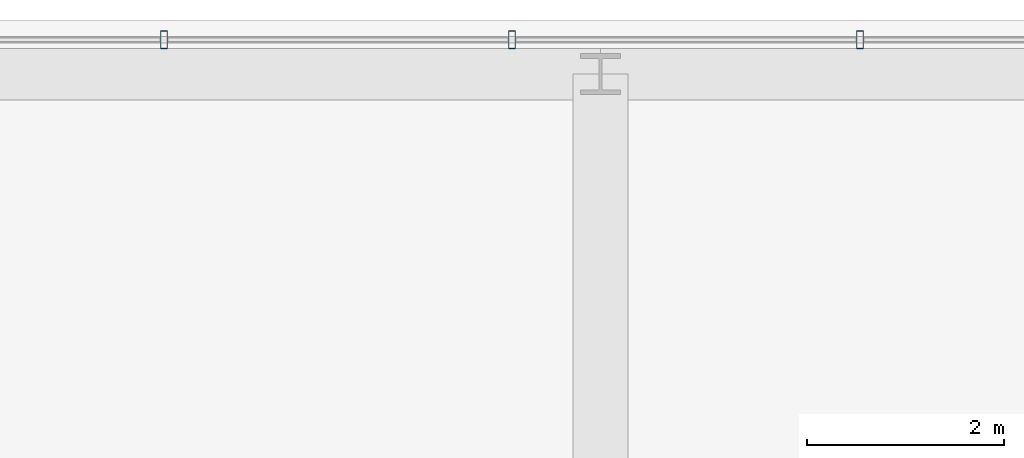
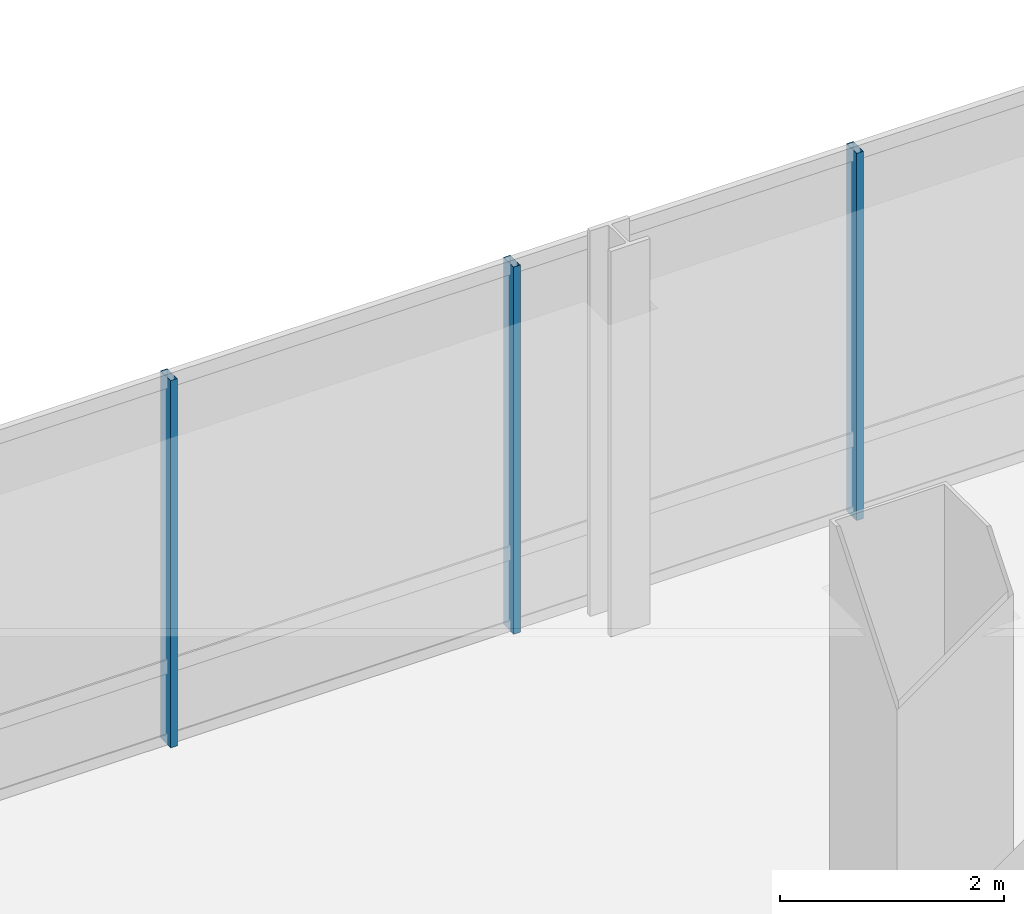
# One storey, part 27 of 41: 3 members, 1 element without a shape of its own.
"""IFC4 building model written with IfcOpenShell, lengths in metres."""

from ifc_helpers import new_model, si_unit, direction, frame, origin, origin_2d, place, context, subcontext, project, spatial, hollow_rectangle, extrude, material, material_profile, profile_set, type_object, element, aggregate, save


model = new_model("IFC4")

# Units and contexts
model_context = context("Model", 3, precision=1e-05, world=origin(), true_north=direction((0.0, 1.0)))
body_context = subcontext(model_context, "Body", "Model", "MODEL_VIEW")
ifc_project = project(units=[si_unit("LENGTHUNIT", "METRE"), si_unit("AREAUNIT", "SQUARE_METRE"), si_unit("VOLUMEUNIT", "CUBIC_METRE"), si_unit("PLANEANGLEUNIT", "RADIAN"), si_unit("MASSUNIT", "GRAM", prefix="KILO")], contexts=[model_context])

# Site, building, storey
site_placement = place(None, origin())
site = spatial("IfcSite", under=ifc_project, at=site_placement, CompositionType="ELEMENT")
building_placement = place(site_placement, origin())
building = spatial("IfcBuilding", under=site, at=building_placement, Name="Punatoya Terracotta Tower", CompositionType="ELEMENT")
storey_placement = place(building_placement, frame((0.0, 0.0, 292.199951171875)))
storey = spatial("IfcBuildingStorey", under=building, at=storey_placement, Name="L69", CompositionType="ELEMENT", Elevation=292.199951171875)

# Curtain wall, members
ifc_material_1 = material(Name="Aluminium 6063-T6 + Double Low-E Glass", Category="aluminium")
curtain_wall_type = type_object("IfcCurtainWallType", Name="CW-M3", PredefinedType="NOTDEFINED", material=ifc_material_1)
curtain_wall_placement = place(storey_placement, origin())
curtain_wall = element("IfcCurtainWall", 1, at=curtain_wall_placement, inside=storey, type_object=curtain_wall_type, Name="L69 Curtain Wall CW-L69-N09-1", PredefinedType="NOTDEFINED")
ifc_material_2 = material(Name="Aluminium 6063-T6", Category="aluminium")
ifc_material_profile = material_profile(ifc_material_2, hollow_rectangle(XDim=0.070068359375, YDim=0.179931640625, WallThickness=0.00390625, at=origin_2d()))
ifc_profile_set = profile_set([ifc_material_profile], Name="Aluminium 6063-T6")
member_type = type_object("IfcMemberType", Name="CW-MUL-M3", PredefinedType="MULLION", material=ifc_profile_set)
member_1_placement = place(storey_placement, frame((6.43505859375, 23.25, 0.0), z_axis=(0.0, 0.0, 1.0), x_axis=(1.0, 0.0, 0.0)))
member_1 = element("IfcMember", 2, at=member_1_placement, type_object=member_type, Name="CW-L69-N09-1 Mullion 03", PredefinedType="MULLION", context=body_context, shape_type="SweptSolid", body=[
    extrude(hollow_rectangle(XDim=0.070068359375, YDim=0.179931640625, WallThickness=0.00390625, at=origin_2d()), origin(), (0.0, 0.0, 1.0), 4.0),
])
member_2_placement = place(storey_placement, frame((2.90087890625, 23.25, 0.0), z_axis=(0.0, 0.0, 1.0), x_axis=(1.0, 0.0, 0.0)))
member_2 = element("IfcMember", 3, at=member_2_placement, type_object=member_type, Name="CW-L69-N09-1 Mullion 04", PredefinedType="MULLION", context=body_context, shape_type="SweptSolid", body=[
    extrude(hollow_rectangle(XDim=0.070068359375, YDim=0.179931640625, WallThickness=0.00390625, at=origin_2d()), origin(), (0.0, 0.0, 1.0), 4.0),
])
member_3_placement = place(storey_placement, frame((-0.633056640625, 23.25, 0.0), z_axis=(0.0, 0.0, 1.0), x_axis=(1.0, 0.0, 0.0)))
member_3 = element("IfcMember", 4, at=member_3_placement, type_object=member_type, Name="CW-L69-N09-1 Mullion 05", PredefinedType="MULLION", context=body_context, shape_type="SweptSolid", body=[
    extrude(hollow_rectangle(XDim=0.070068359375, YDim=0.179931640625, WallThickness=0.00390625, at=origin_2d()), origin(), (0.0, 0.0, 1.0), 4.0),
])
aggregate(curtain_wall, [member_1, member_2, member_3])

save(model, "model.ifc")
